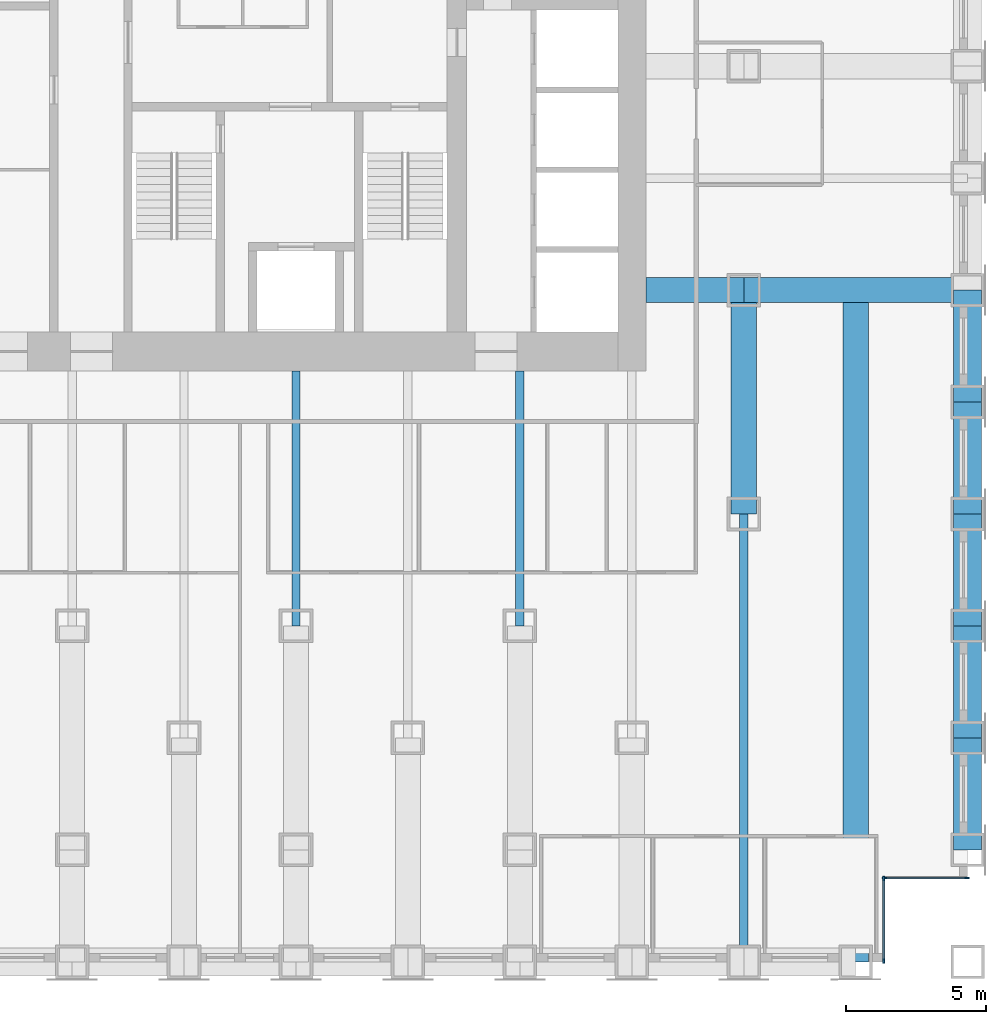
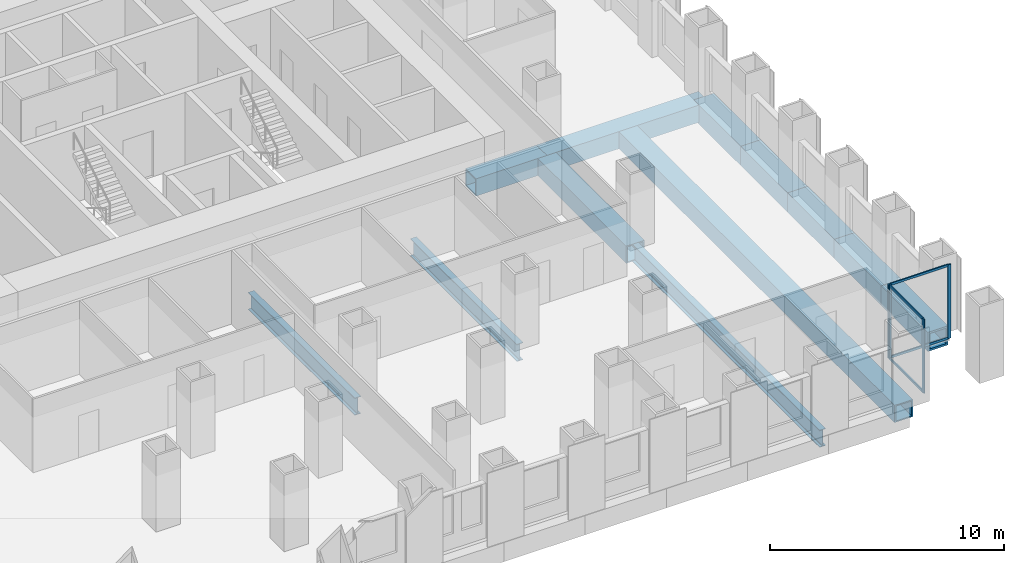
# One storey, part 4 of 15: 12 beams, 8 members, 2 elements without a shape of their own.
"""IFC4 building model written with IfcOpenShell, lengths in metres."""

from ifc_helpers import new_model, si_unit, direction, frame, origin, origin_2d, place, context, subcontext, project, spatial, rectangle, hollow_rectangle, i_section, extrude, material, material_profile, profile_set, type_object, element, aggregate, save


model = new_model("IFC4")

# Units and contexts
model_context = context("Model", 3, precision=1e-05, world=origin(), true_north=direction((0.0, 1.0)))
body_context = subcontext(model_context, "Body", "Model", "MODEL_VIEW")
ifc_project = project(units=[si_unit("LENGTHUNIT", "METRE"), si_unit("AREAUNIT", "SQUARE_METRE"), si_unit("VOLUMEUNIT", "CUBIC_METRE"), si_unit("PLANEANGLEUNIT", "RADIAN"), si_unit("MASSUNIT", "GRAM", prefix="KILO")], contexts=[model_context])

# Site, building, storey
site_placement = place(None, origin())
site = spatial("IfcSite", under=ifc_project, at=site_placement, CompositionType="ELEMENT")
building_placement = place(site_placement, origin())
building = spatial("IfcBuilding", under=site, at=building_placement, Name="Rimbunsela Tower", CompositionType="ELEMENT")
storey_placement = place(building_placement, frame((0.0, 0.0, 31.0)))
storey = spatial("IfcBuildingStorey", under=building, at=storey_placement, Name="L07", CompositionType="ELEMENT", Elevation=31.0)

# Beams
ifc_material_1 = material(Name="Steel BJ 55 (fy 410 MPa)", Category="steel")
ifc_material_profile_1 = material_profile(ifc_material_1, hollow_rectangle(XDim=1.0, YDim=1.0, WallThickness=0.10009765625, at=origin_2d()), Name="BOX 1000x1000x100")
ifc_profile_set_1 = profile_set([ifc_material_profile_1], Name="Steel BJ 55 (fy 410 MPa)")
beam_type_1 = type_object("IfcBeamType", Name="Beam BOX 1000x1000x100", PredefinedType="BEAM", material=ifc_profile_set_1)
for number, where, z_axis, x_axis, name in (
    (1, (54.0, 0.0, -0.64990234375), (0.0, 1.0, 0.0), (-1.0, 0.0, 0.0), "Beam B3 L07"),
    (2, (54.0, 4.0, -0.64990234375), (0.0, 1.0, 0.0), (-1.0, 0.0, 0.0), "Beam B3 L07"),
    (3, (54.0, 8.0, -0.64990234375), (0.0, 1.0, 0.0), (-1.0, 0.0, 0.0), "Beam B3 L07"),
    (4, (54.0, 12.0, -0.64990234375), (0.0, 1.0, 0.0), (-1.0, 0.0, 0.0), "Beam B3 L07"),
    (5, (54.0, 16.0, -0.64990234375), (0.0, 1.0, 0.0), (-1.0, 0.0, 0.0), "Beam B3 L07"),
):
    element("IfcBeam", number, at=place(storey_placement, frame(where, z_axis=z_axis, x_axis=x_axis)), inside=storey, type_object=beam_type_1, Name=name, PredefinedType="BEAM", context=body_context, shape_type="SweptSolid", body=[
        extrude(hollow_rectangle(XDim=1.0, YDim=1.0, WallThickness=0.10009765625, at=origin_2d()), origin(), (0.0, 0.0, 1.0), 4.0),
    ])
ifc_material_2 = material(Name="Steel BJ 55 (fy 410 MPa)", Category="steel")
ifc_material_profile_2 = material_profile(ifc_material_2, hollow_rectangle(XDim=0.89990234375, YDim=0.89990234375, WallThickness=0.06005859375, at=origin_2d()), Name="BOX 900x900x60")
ifc_profile_set_2 = profile_set([ifc_material_profile_2], Name="Steel BJ 55 (fy 410 MPa)")
beam_type_2 = type_object("IfcBeamType", Name="Beam BOX 900x900x60", PredefinedType="BEAM", material=ifc_profile_set_2)
beam_1_placement = place(storey_placement, frame((42.5, 20.0, -0.60009765625), z_axis=(1.0, 0.0, 0.0), x_axis=(0.0, 1.0, 0.0)))
element("IfcBeam", 6, at=beam_1_placement, inside=storey, type_object=beam_type_2, Name="Beam B1 L07", PredefinedType="BEAM", context=body_context, shape_type="SweptSolid", body=[
    extrude(hollow_rectangle(XDim=0.89990234375, YDim=0.89990234375, WallThickness=0.06005859375, at=origin_2d()), origin(), (0.0, 0.0, 1.0), 3.5),
])
for number, where, z_axis, x_axis, name in (
    (7, (46.0, 12.0, -0.60009765625), (0.0, 1.0, 0.0), (-1.0, 0.0, 0.0), "Beam B1 L07"),
    (8, (46.0, 20.0, -0.60009765625), (1.0, 0.0, 0.0), (0.0, 1.0, 0.0), "Beam B1 L07"),
):
    element("IfcBeam", number, at=place(storey_placement, frame(where, z_axis=z_axis, x_axis=x_axis)), inside=storey, type_object=beam_type_2, Name=name, PredefinedType="BEAM", context=body_context, shape_type="SweptSolid", body=[
        extrude(hollow_rectangle(XDim=0.89990234375, YDim=0.89990234375, WallThickness=0.06005859375, at=origin_2d()), origin(), (0.0, 0.0, 1.0), 8.0),
    ])
beam_2_placement = place(storey_placement, frame((50.0, -4.0, -0.60009765625), z_axis=(0.0, 1.0, 0.0), x_axis=(-1.0, 0.0, 0.0)))
element("IfcBeam", 9, at=beam_2_placement, inside=storey, type_object=beam_type_2, Name="Beam B1 L07", PredefinedType="BEAM", context=body_context, shape_type="SweptSolid", body=[
    extrude(hollow_rectangle(XDim=0.89990234375, YDim=0.89990234375, WallThickness=0.06005859375, at=origin_2d()), origin(), (0.0, 0.0, 1.0), 23.550048828125),
])
ifc_material_3 = material(Name="Steel BJ 55 (fy 410 MPa)", Category="steel")
ifc_material_profile_3 = material_profile(ifc_material_3, i_section(OverallWidth=0.300048828125, OverallDepth=0.89990234375, WebThickness=0.01611328125, FlangeThickness=0.028076171875, FilletRadius=0.028076171875, at=origin_2d()), Name="H 900x300x16x28")
ifc_profile_set_3 = profile_set([ifc_material_profile_3], Name="Steel BJ 55 (fy 410 MPa)")
beam_type_3 = type_object("IfcBeamType", Name="Beam H 900x300x16x28", PredefinedType="BEAM", material=ifc_profile_set_3)
for number, where, z_axis, x_axis, name in (
    (10, (30.0, 8.0, -0.60009765625), (0.0, 1.0, 0.0), (-1.0, 0.0, 0.0), "Beam B2 L07"),
    (11, (38.0, 8.0, -0.60009765625), (0.0, 1.0, 0.0), (-1.0, 0.0, 0.0), "Beam B2 L07"),
):
    element("IfcBeam", number, at=place(storey_placement, frame(where, z_axis=z_axis, x_axis=x_axis)), inside=storey, type_object=beam_type_3, Name=name, PredefinedType="BEAM", context=body_context, shape_type="SweptSolid", body=[
        extrude(i_section(OverallWidth=0.300048828125, OverallDepth=0.89990234375, WebThickness=0.01611328125, FlangeThickness=0.028076171875, FilletRadius=0.028076171875, at=origin_2d()), origin(), (0.0, 0.0, 1.0), 9.10009765625),
    ])
beam_3_placement = place(storey_placement, frame((46.0, -4.0, -0.60009765625), z_axis=(0.0, 1.0, 0.0), x_axis=(-1.0, 0.0, 0.0)))
element("IfcBeam", 12, at=beam_3_placement, inside=storey, type_object=beam_type_3, Name="Beam B2 L07", PredefinedType="BEAM", context=body_context, shape_type="SweptSolid", body=[
    extrude(i_section(OverallWidth=0.300048828125, OverallDepth=0.89990234375, WebThickness=0.01611328125, FlangeThickness=0.028076171875, FilletRadius=0.028076171875, at=origin_2d()), origin(), (0.0, 0.0, 1.0), 16.0),
])

# Curtain wall, members
ifc_material_4 = material(Name="Aluminium curtain wall", Category="aluminium")
curtain_wall_type = type_object("IfcCurtainWallType", Name="Corner glazing", PredefinedType="USERDEFINED", material=ifc_material_4)
curtain_wall_1_placement = place(storey_placement, origin())
curtain_wall_1 = element("IfcCurtainWall", 13, at=curtain_wall_1_placement, inside=storey, type_object=curtain_wall_type, Name="Corner glazing L07", ObjectType="CORNER GLAZING", PredefinedType="USERDEFINED")
ifc_material_5 = material(Name="Aluminium mullion", Category="aluminium")
ifc_material_profile_4 = material_profile(ifc_material_5, rectangle(XDim=0.06005859375, YDim=0.159912109375, at=origin_2d()), Name="Mullion 60x160")
ifc_profile_set_4 = profile_set([ifc_material_profile_4], Name="Aluminium mullion")
member_type_1 = type_object("IfcMemberType", Name="Curtain wall mullion 60x160", PredefinedType="MULLION", material=ifc_profile_set_4)
member_1_placement = place(storey_placement, frame((51.0, -3.969970703125, 0.0), z_axis=(0.0, 0.0, 1.0), x_axis=(-1.0, 0.0, 0.0)))
member_1 = element("IfcMember", 14, at=member_1_placement, type_object=member_type_1, Name="CW5 mullion 1", PredefinedType="MULLION", context=body_context, shape_type="SweptSolid", body=[
    extrude(rectangle(XDim=0.06005859375, YDim=0.159912109375, at=origin_2d()), origin(), (0.0, 0.0, 1.0), 3.85009765625),
])
member_2_placement = place(storey_placement, frame((51.0, -1.030029296875, 0.0), z_axis=(0.0, 0.0, 1.0), x_axis=(-1.0, 0.0, 0.0)))
member_2 = element("IfcMember", 15, at=member_2_placement, type_object=member_type_1, Name="CW5 mullion 2", PredefinedType="MULLION", context=body_context, shape_type="SweptSolid", body=[
    extrude(rectangle(XDim=0.06005859375, YDim=0.159912109375, at=origin_2d()), origin(), (0.0, 0.0, 1.0), 3.85009765625),
])

curtain_wall_2_placement = place(storey_placement, origin())
curtain_wall_2 = element("IfcCurtainWall", 16, at=curtain_wall_2_placement, inside=storey, type_object=curtain_wall_type, Name="Corner glazing L07", ObjectType="CORNER GLAZING", PredefinedType="USERDEFINED")
member_3_placement = place(storey_placement, frame((51.030029296875, -1.0, 0.0), z_axis=(0.0, 0.0, 1.0), x_axis=(0.0, 1.0, 0.0)))
member_3 = element("IfcMember", 17, at=member_3_placement, type_object=member_type_1, Name="CW5 mullion 1", PredefinedType="MULLION", context=body_context, shape_type="SweptSolid", body=[
    extrude(rectangle(XDim=0.06005859375, YDim=0.159912109375, at=origin_2d()), origin(), (0.0, 0.0, 1.0), 3.85009765625),
])
member_4_placement = place(storey_placement, frame((53.969970703125, -1.0, 0.0), z_axis=(0.0, 0.0, 1.0), x_axis=(0.0, 1.0, 0.0)))
member_4 = element("IfcMember", 18, at=member_4_placement, type_object=member_type_1, Name="CW5 mullion 2", PredefinedType="MULLION", context=body_context, shape_type="SweptSolid", body=[
    extrude(rectangle(XDim=0.06005859375, YDim=0.159912109375, at=origin_2d()), origin(), (0.0, 0.0, 1.0), 3.85009765625),
])

# Member
ifc_material_6 = material(Name="Aluminium transom", Category="aluminium")
ifc_material_profile_5 = material_profile(ifc_material_6, rectangle(XDim=0.06005859375, YDim=0.1201171875, at=origin_2d()), Name="Transom 60x120")
ifc_profile_set_5 = profile_set([ifc_material_profile_5], Name="Aluminium transom")
member_type_2 = type_object("IfcMemberType", Name="Curtain wall transom 60x120", PredefinedType="USERDEFINED", material=ifc_profile_set_5)
member_5_placement = place(storey_placement, frame((51.0, -3.93994140625, 0.030029296875), z_axis=(0.0, 1.0, 0.0), x_axis=(-1.0, 0.0, 0.0)))
member_5 = element("IfcMember", 19, at=member_5_placement, type_object=member_type_2, Name="CW5 transom 1.1", ObjectType="TRANSOM", PredefinedType="USERDEFINED", context=body_context, shape_type="SweptSolid", body=[
    extrude(rectangle(XDim=0.06005859375, YDim=0.1201171875, at=origin_2d()), origin(), (0.0, 0.0, 1.0), 2.8798828125),
])

member_6_placement = place(storey_placement, frame((51.0, -3.93994140625, 3.820068359375), z_axis=(0.0, 1.0, 0.0), x_axis=(-1.0, 0.0, 0.0)))
member_6 = element("IfcMember", 20, at=member_6_placement, type_object=member_type_2, Name="CW5 transom 1.2", ObjectType="TRANSOM", PredefinedType="USERDEFINED", context=body_context, shape_type="SweptSolid", body=[
    extrude(rectangle(XDim=0.06005859375, YDim=0.1201171875, at=origin_2d()), origin(), (0.0, 0.0, 1.0), 2.8798828125),
])

aggregate(curtain_wall_1, [member_1, member_2, member_5, member_6])

member_7_placement = place(storey_placement, frame((51.06005859375, -1.0, 0.030029296875), z_axis=(1.0, 0.0, 0.0), x_axis=(0.0, 1.0, 0.0)))
member_7 = element("IfcMember", 21, at=member_7_placement, type_object=member_type_2, Name="CW5 transom 1.1", ObjectType="TRANSOM", PredefinedType="USERDEFINED", context=body_context, shape_type="SweptSolid", body=[
    extrude(rectangle(XDim=0.06005859375, YDim=0.1201171875, at=origin_2d()), origin(), (0.0, 0.0, 1.0), 2.8798828125),
])

member_8_placement = place(storey_placement, frame((51.06005859375, -1.0, 3.820068359375), z_axis=(1.0, 0.0, 0.0), x_axis=(0.0, 1.0, 0.0)))
member_8 = element("IfcMember", 22, at=member_8_placement, type_object=member_type_2, Name="CW5 transom 1.2", ObjectType="TRANSOM", PredefinedType="USERDEFINED", context=body_context, shape_type="SweptSolid", body=[
    extrude(rectangle(XDim=0.06005859375, YDim=0.1201171875, at=origin_2d()), origin(), (0.0, 0.0, 1.0), 2.8798828125),
])

aggregate(curtain_wall_2, [member_3, member_4, member_7, member_8])

save(model, "model.ifc")
